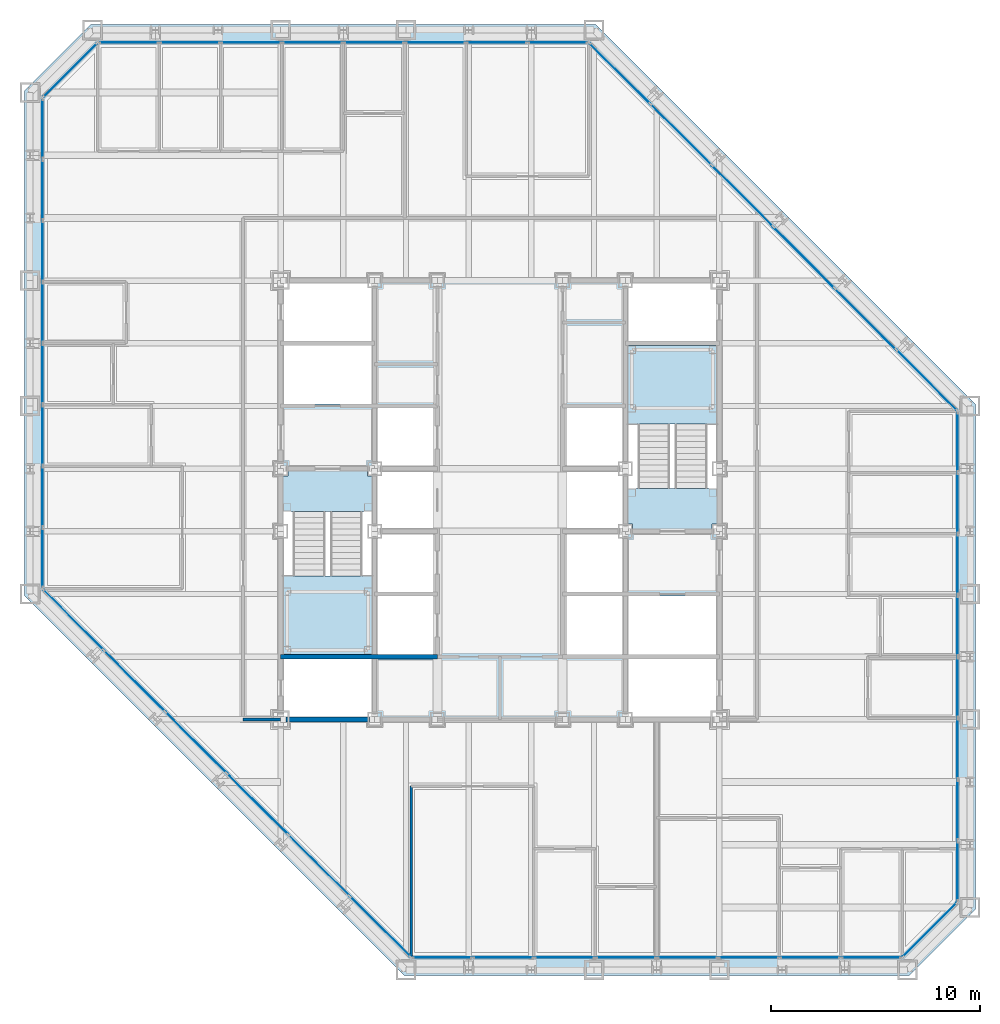
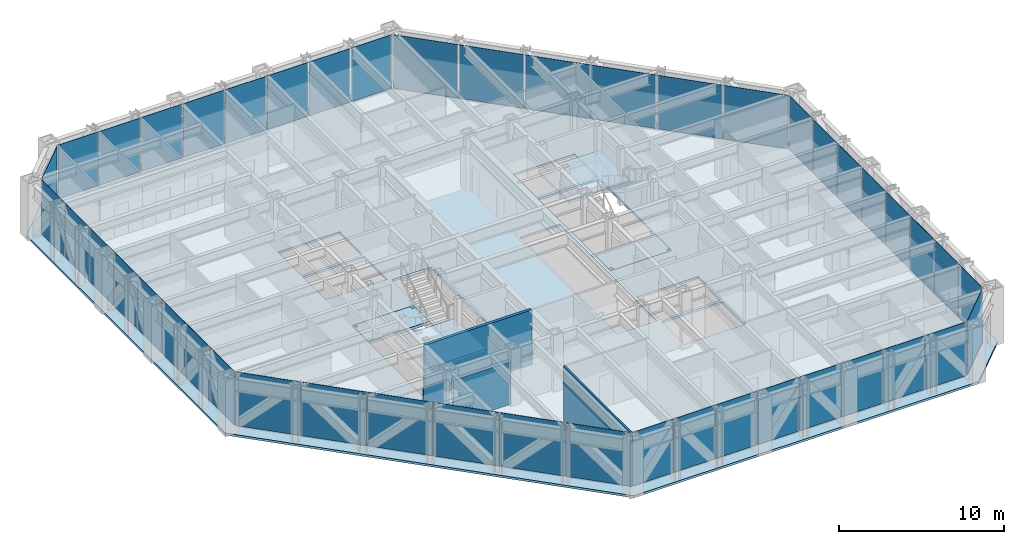
# One storey, part 9 of 16: 46 plates, 5 slabs, 4 walls, 10 elements without a shape of their own.
"""IFC4 building model written with IfcOpenShell, lengths in metres."""

from ifc_helpers import new_model, si_unit, direction, frame, frame_2d, origin, origin_2d, place, context, subcontext, project, spatial, polyline, rectangle, outline, extrude, material, layer, layer_set, type_object, element, aggregate, save


model = new_model("IFC4")

# Units and contexts
model_context = context("Model", 3, precision=1e-05, world=origin(), true_north=direction((0.0, 1.0)))
body_context = subcontext(model_context, "Body", "Model", "MODEL_VIEW")
ifc_project = project(units=[si_unit("LENGTHUNIT", "METRE"), si_unit("AREAUNIT", "SQUARE_METRE"), si_unit("VOLUMEUNIT", "CUBIC_METRE"), si_unit("PLANEANGLEUNIT", "RADIAN"), si_unit("MASSUNIT", "GRAM", prefix="KILO")], contexts=[model_context])

# Site, building, storey
site_placement = place(None, origin())
site = spatial("IfcSite", under=ifc_project, at=site_placement, CompositionType="ELEMENT")
building_placement = place(site_placement, origin())
building = spatial("IfcBuilding", under=site, at=building_placement, Name="Chuquiago Exchange Tower", CompositionType="ELEMENT")
storey_placement = place(building_placement, frame((0.0, 0.0, 127.800048828125)))
storey = spatial("IfcBuildingStorey", under=building, at=storey_placement, Name="L27", CompositionType="ELEMENT", Elevation=127.800048828125)

# Curtain wall, plates
ifc_material_1 = material(Name="Aluminium curtain wall system", Category="aluminium")
ifc_layer_1 = layer(ifc_material_1, 0.22509765625)
ifc_layer_set_1 = layer_set([ifc_layer_1], Name="CW2 office curtain wall")
curtain_wall_type_1 = type_object("IfcCurtainWallType", Name="CW2 office curtain wall", PredefinedType="NOTDEFINED", material=ifc_layer_set_1)
curtain_wall_1_placement = place(storey_placement, origin())
curtain_wall_1 = element("IfcCurtainWall", 1, at=curtain_wall_1_placement, inside=storey, type_object=curtain_wall_type_1, Name="CW2 curtain wall L27", PredefinedType="NOTDEFINED")
ifc_material_2 = material(Name="Glass, insulating unit", Category="glass")
ifc_layer_2 = layer(ifc_material_2, 0.030029296875)
ifc_layer_set_2 = layer_set([ifc_layer_2], Name="CW2-P panel 30")
plate_type_1 = type_object("IfcPlateType", Name="CW2-P panel 30", PredefinedType="CURTAIN_PANEL", material=ifc_layer_set_2)
plate_1_placement = place(storey_placement, frame((25.59326171875, 0.60009765625, 0.06494140625), z_axis=(0.0, 0.0, 1.0), x_axis=(1.0, 0.0, 0.0)))
plate_1 = element("IfcPlate", 2, at=plate_1_placement, type_object=plate_type_1, Name="CW2 panel 3.1", PredefinedType="CURTAIN_PANEL", context=body_context, shape_type="SweptSolid", body=[
    extrude(rectangle(XDim=2.872802734375, YDim=0.030029296875, at=origin_2d()), origin(), (0.0, 0.0, 1.0), 3.97509765625),
])
plate_2_placement = place(storey_placement, frame((34.40673828125, 0.60009765625, 0.06494140625), z_axis=(0.0, 0.0, 1.0), x_axis=(1.0, 0.0, 0.0)))
plate_2 = element("IfcPlate", 3, at=plate_2_placement, type_object=plate_type_1, Name="CW2 panel 6.1", PredefinedType="CURTAIN_PANEL", context=body_context, shape_type="SweptSolid", body=[
    extrude(rectangle(XDim=2.872802734375, YDim=0.030029296875, at=origin_2d()), origin(), (0.0, 0.0, 1.0), 3.97509765625),
])

curtain_wall_2_placement = place(storey_placement, origin())
curtain_wall_2 = element("IfcCurtainWall", 4, at=curtain_wall_2_placement, inside=storey, type_object=curtain_wall_type_1, Name="CW2 curtain wall L27", PredefinedType="NOTDEFINED")
plate_3_placement = place(storey_placement, frame((44.39990234375, 10.59326171875, 0.06494140625), z_axis=(0.0, 0.0, 1.0), x_axis=(0.0, 1.0, 0.0)))
plate_3 = element("IfcPlate", 5, at=plate_3_placement, type_object=plate_type_1, Name="CW2 panel 3.1", PredefinedType="CURTAIN_PANEL", context=body_context, shape_type="SweptSolid", body=[
    extrude(rectangle(XDim=2.872802734375, YDim=0.030029296875, at=origin_2d()), origin(), (0.0, 0.0, 1.0), 3.97509765625),
])
plate_4_placement = place(storey_placement, frame((44.39990234375, 19.40673828125, 0.06494140625), z_axis=(0.0, 0.0, 1.0), x_axis=(0.0, 1.0, 0.0)))
plate_4 = element("IfcPlate", 6, at=plate_4_placement, type_object=plate_type_1, Name="CW2 panel 6.1", PredefinedType="CURTAIN_PANEL", context=body_context, shape_type="SweptSolid", body=[
    extrude(rectangle(XDim=2.872802734375, YDim=0.030029296875, at=origin_2d()), origin(), (0.0, 0.0, 1.0), 3.97509765625),
])

curtain_wall_3_placement = place(storey_placement, origin())
curtain_wall_3 = element("IfcCurtainWall", 7, at=curtain_wall_3_placement, inside=storey, type_object=curtain_wall_type_1, Name="CW2 curtain wall L27", PredefinedType="NOTDEFINED")
plate_5_placement = place(storey_placement, frame((19.40673828125, 44.39990234375, 0.06494140625), z_axis=(0.0, 0.0, 1.0), x_axis=(-1.0, 0.0, 0.0)))
plate_5 = element("IfcPlate", 8, at=plate_5_placement, type_object=plate_type_1, Name="CW2 panel 3.1", PredefinedType="CURTAIN_PANEL", context=body_context, shape_type="SweptSolid", body=[
    extrude(rectangle(XDim=2.872802734375, YDim=0.030029296875, at=origin_2d()), origin(), (0.0, 0.0, 1.0), 3.97509765625),
])
plate_6_placement = place(storey_placement, frame((10.59326171875, 44.39990234375, 0.06494140625), z_axis=(0.0, 0.0, 1.0), x_axis=(-1.0, 0.0, 0.0)))
plate_6 = element("IfcPlate", 9, at=plate_6_placement, type_object=plate_type_1, Name="CW2 panel 6.1", PredefinedType="CURTAIN_PANEL", context=body_context, shape_type="SweptSolid", body=[
    extrude(rectangle(XDim=2.872802734375, YDim=0.030029296875, at=origin_2d()), origin(), (0.0, 0.0, 1.0), 3.97509765625),
])

curtain_wall_4_placement = place(storey_placement, origin())
curtain_wall_4 = element("IfcCurtainWall", 10, at=curtain_wall_4_placement, inside=storey, type_object=curtain_wall_type_1, Name="CW2 curtain wall L27", PredefinedType="NOTDEFINED")
plate_7_placement = place(storey_placement, frame((0.60009765625, 34.40673828125, 0.06494140625), z_axis=(0.0, 0.0, 1.0), x_axis=(0.0, -1.0, 0.0)))
plate_7 = element("IfcPlate", 11, at=plate_7_placement, type_object=plate_type_1, Name="CW2 panel 3.1", PredefinedType="CURTAIN_PANEL", context=body_context, shape_type="SweptSolid", body=[
    extrude(rectangle(XDim=2.872802734375, YDim=0.030029296875, at=origin_2d()), origin(), (0.0, 0.0, 1.0), 3.97509765625),
])
plate_8_placement = place(storey_placement, frame((0.60009765625, 25.59326171875, 0.06494140625), z_axis=(0.0, 0.0, 1.0), x_axis=(0.0, -1.0, 0.0)))
plate_8 = element("IfcPlate", 12, at=plate_8_placement, type_object=plate_type_1, Name="CW2 panel 6.1", PredefinedType="CURTAIN_PANEL", context=body_context, shape_type="SweptSolid", body=[
    extrude(rectangle(XDim=2.872802734375, YDim=0.030029296875, at=origin_2d()), origin(), (0.0, 0.0, 1.0), 3.97509765625),
])

# Plate
ifc_material_3 = material(Name="Insulated spandrel panel, pale anodised aluminium", Category="aluminium")
ifc_layer_3 = layer(ifc_material_3, 0.030029296875)
ifc_layer_set_3 = layer_set([ifc_layer_3], Name="CW2-P spandrel panel 30")
plate_type_2 = type_object("IfcPlateType", Name="CW2-P spandrel panel 30", PredefinedType="CURTAIN_PANEL", material=ifc_layer_set_3)
plate_9_placement = place(storey_placement, frame((19.733642578125, 0.60009765625, 0.06494140625), z_axis=(0.0, 0.0, 1.0), x_axis=(1.0, 0.0, 0.0)))
plate_9 = element("IfcPlate", 13, at=plate_9_placement, type_object=plate_type_2, Name="CW2 panel 1.1", PredefinedType="CURTAIN_PANEL", context=body_context, shape_type="SweptSolid", body=[
    extrude(rectangle(XDim=2.84033203125, YDim=0.030029296875, at=origin_2d()), origin(), (0.0, 0.0, 1.0), 3.97509765625),
])

plate_10_placement = place(storey_placement, frame((22.6552734375, 0.60009765625, 0.06494140625), z_axis=(0.0, 0.0, 1.0), x_axis=(1.0, 0.0, 0.0)))
plate_10 = element("IfcPlate", 14, at=plate_10_placement, type_object=plate_type_2, Name="CW2 panel 2.1", PredefinedType="CURTAIN_PANEL", context=body_context, shape_type="SweptSolid", body=[
    extrude(rectangle(XDim=2.872802734375, YDim=0.030029296875, at=origin_2d()), origin(), (0.0, 0.0, 1.0), 3.97509765625),
])

plate_11_placement = place(storey_placement, frame((28.531005859375, 0.60009765625, 0.06494140625), z_axis=(0.0, 0.0, 1.0), x_axis=(1.0, 0.0, 0.0)))
plate_11 = element("IfcPlate", 15, at=plate_11_placement, type_object=plate_type_2, Name="CW2 panel 4.1", PredefinedType="CURTAIN_PANEL", context=body_context, shape_type="SweptSolid", body=[
    extrude(rectangle(XDim=2.872802734375, YDim=0.030029296875, at=origin_2d()), origin(), (0.0, 0.0, 1.0), 3.97509765625),
])

plate_12_placement = place(storey_placement, frame((31.468994140625, 0.60009765625, 0.06494140625), z_axis=(0.0, 0.0, 1.0), x_axis=(1.0, 0.0, 0.0)))
plate_12 = element("IfcPlate", 16, at=plate_12_placement, type_object=plate_type_2, Name="CW2 panel 5.1", PredefinedType="CURTAIN_PANEL", context=body_context, shape_type="SweptSolid", body=[
    extrude(rectangle(XDim=2.872802734375, YDim=0.030029296875, at=origin_2d()), origin(), (0.0, 0.0, 1.0), 3.97509765625),
])

plate_13_placement = place(storey_placement, frame((37.3447265625, 0.60009765625, 0.06494140625), z_axis=(0.0, 0.0, 1.0), x_axis=(1.0, 0.0, 0.0)))
plate_13 = element("IfcPlate", 17, at=plate_13_placement, type_object=plate_type_2, Name="CW2 panel 7.1", PredefinedType="CURTAIN_PANEL", context=body_context, shape_type="SweptSolid", body=[
    extrude(rectangle(XDim=2.872802734375, YDim=0.030029296875, at=origin_2d()), origin(), (0.0, 0.0, 1.0), 3.97509765625),
])

plate_14_placement = place(storey_placement, frame((40.266357421875, 0.60009765625, 0.06494140625), z_axis=(0.0, 0.0, 1.0), x_axis=(1.0, 0.0, 0.0)))
plate_14 = element("IfcPlate", 18, at=plate_14_placement, type_object=plate_type_2, Name="CW2 panel 8.1", PredefinedType="CURTAIN_PANEL", context=body_context, shape_type="SweptSolid", body=[
    extrude(rectangle(XDim=2.84033203125, YDim=0.030029296875, at=origin_2d()), origin(), (0.0, 0.0, 1.0), 3.97509765625),
])

aggregate(curtain_wall_1, [plate_9, plate_10, plate_1, plate_11, plate_12, plate_2, plate_13, plate_14])

plate_15_placement = place(storey_placement, frame((44.39990234375, 4.733642578125, 0.06494140625), z_axis=(0.0, 0.0, 1.0), x_axis=(0.0, 1.0, 0.0)))
plate_15 = element("IfcPlate", 19, at=plate_15_placement, type_object=plate_type_2, Name="CW2 panel 1.1", PredefinedType="CURTAIN_PANEL", context=body_context, shape_type="SweptSolid", body=[
    extrude(rectangle(XDim=2.84033203125, YDim=0.030029296875, at=origin_2d()), origin(), (0.0, 0.0, 1.0), 3.97509765625),
])

plate_16_placement = place(storey_placement, frame((44.39990234375, 7.6552734375, 0.06494140625), z_axis=(0.0, 0.0, 1.0), x_axis=(0.0, 1.0, 0.0)))
plate_16 = element("IfcPlate", 20, at=plate_16_placement, type_object=plate_type_2, Name="CW2 panel 2.1", PredefinedType="CURTAIN_PANEL", context=body_context, shape_type="SweptSolid", body=[
    extrude(rectangle(XDim=2.872802734375, YDim=0.030029296875, at=origin_2d()), origin(), (0.0, 0.0, 1.0), 3.97509765625),
])

plate_17_placement = place(storey_placement, frame((44.39990234375, 13.531005859375, 0.06494140625), z_axis=(0.0, 0.0, 1.0), x_axis=(0.0, 1.0, 0.0)))
plate_17 = element("IfcPlate", 21, at=plate_17_placement, type_object=plate_type_2, Name="CW2 panel 4.1", PredefinedType="CURTAIN_PANEL", context=body_context, shape_type="SweptSolid", body=[
    extrude(rectangle(XDim=2.872802734375, YDim=0.030029296875, at=origin_2d()), origin(), (0.0, 0.0, 1.0), 3.97509765625),
])

plate_18_placement = place(storey_placement, frame((44.39990234375, 16.468994140625, 0.06494140625), z_axis=(0.0, 0.0, 1.0), x_axis=(0.0, 1.0, 0.0)))
plate_18 = element("IfcPlate", 22, at=plate_18_placement, type_object=plate_type_2, Name="CW2 panel 5.1", PredefinedType="CURTAIN_PANEL", context=body_context, shape_type="SweptSolid", body=[
    extrude(rectangle(XDim=2.872802734375, YDim=0.030029296875, at=origin_2d()), origin(), (0.0, 0.0, 1.0), 3.97509765625),
])

plate_19_placement = place(storey_placement, frame((44.39990234375, 22.3447265625, 0.06494140625), z_axis=(0.0, 0.0, 1.0), x_axis=(0.0, 1.0, 0.0)))
plate_19 = element("IfcPlate", 23, at=plate_19_placement, type_object=plate_type_2, Name="CW2 panel 7.1", PredefinedType="CURTAIN_PANEL", context=body_context, shape_type="SweptSolid", body=[
    extrude(rectangle(XDim=2.872802734375, YDim=0.030029296875, at=origin_2d()), origin(), (0.0, 0.0, 1.0), 3.97509765625),
])

plate_20_placement = place(storey_placement, frame((44.39990234375, 25.266357421875, 0.06494140625), z_axis=(0.0, 0.0, 1.0), x_axis=(0.0, 1.0, 0.0)))
plate_20 = element("IfcPlate", 24, at=plate_20_placement, type_object=plate_type_2, Name="CW2 panel 8.1", PredefinedType="CURTAIN_PANEL", context=body_context, shape_type="SweptSolid", body=[
    extrude(rectangle(XDim=2.84033203125, YDim=0.030029296875, at=origin_2d()), origin(), (0.0, 0.0, 1.0), 3.97509765625),
])

aggregate(curtain_wall_2, [plate_15, plate_16, plate_3, plate_17, plate_18, plate_4, plate_19, plate_20])

plate_21_placement = place(storey_placement, frame((25.266357421875, 44.39990234375, 0.06494140625), z_axis=(0.0, 0.0, 1.0), x_axis=(-1.0, 0.0, 0.0)))
plate_21 = element("IfcPlate", 25, at=plate_21_placement, type_object=plate_type_2, Name="CW2 panel 1.1", PredefinedType="CURTAIN_PANEL", context=body_context, shape_type="SweptSolid", body=[
    extrude(rectangle(XDim=2.84033203125, YDim=0.030029296875, at=origin_2d()), origin(), (0.0, 0.0, 1.0), 3.97509765625),
])

plate_22_placement = place(storey_placement, frame((22.3447265625, 44.39990234375, 0.06494140625), z_axis=(0.0, 0.0, 1.0), x_axis=(-1.0, 0.0, 0.0)))
plate_22 = element("IfcPlate", 26, at=plate_22_placement, type_object=plate_type_2, Name="CW2 panel 2.1", PredefinedType="CURTAIN_PANEL", context=body_context, shape_type="SweptSolid", body=[
    extrude(rectangle(XDim=2.872802734375, YDim=0.030029296875, at=origin_2d()), origin(), (0.0, 0.0, 1.0), 3.97509765625),
])

plate_23_placement = place(storey_placement, frame((16.468994140625, 44.39990234375, 0.06494140625), z_axis=(0.0, 0.0, 1.0), x_axis=(-1.0, 0.0, 0.0)))
plate_23 = element("IfcPlate", 27, at=plate_23_placement, type_object=plate_type_2, Name="CW2 panel 4.1", PredefinedType="CURTAIN_PANEL", context=body_context, shape_type="SweptSolid", body=[
    extrude(rectangle(XDim=2.872802734375, YDim=0.030029296875, at=origin_2d()), origin(), (0.0, 0.0, 1.0), 3.97509765625),
])

plate_24_placement = place(storey_placement, frame((13.531005859375, 44.39990234375, 0.06494140625), z_axis=(0.0, 0.0, 1.0), x_axis=(-1.0, 0.0, 0.0)))
plate_24 = element("IfcPlate", 28, at=plate_24_placement, type_object=plate_type_2, Name="CW2 panel 5.1", PredefinedType="CURTAIN_PANEL", context=body_context, shape_type="SweptSolid", body=[
    extrude(rectangle(XDim=2.872802734375, YDim=0.030029296875, at=origin_2d()), origin(), (0.0, 0.0, 1.0), 3.97509765625),
])

plate_25_placement = place(storey_placement, frame((7.6552734375, 44.39990234375, 0.06494140625), z_axis=(0.0, 0.0, 1.0), x_axis=(-1.0, 0.0, 0.0)))
plate_25 = element("IfcPlate", 29, at=plate_25_placement, type_object=plate_type_2, Name="CW2 panel 7.1", PredefinedType="CURTAIN_PANEL", context=body_context, shape_type="SweptSolid", body=[
    extrude(rectangle(XDim=2.872802734375, YDim=0.030029296875, at=origin_2d()), origin(), (0.0, 0.0, 1.0), 3.97509765625),
])

plate_26_placement = place(storey_placement, frame((4.733642578125, 44.39990234375, 0.06494140625), z_axis=(0.0, 0.0, 1.0), x_axis=(-1.0, 0.0, 0.0)))
plate_26 = element("IfcPlate", 30, at=plate_26_placement, type_object=plate_type_2, Name="CW2 panel 8.1", PredefinedType="CURTAIN_PANEL", context=body_context, shape_type="SweptSolid", body=[
    extrude(rectangle(XDim=2.84033203125, YDim=0.030029296875, at=origin_2d()), origin(), (0.0, 0.0, 1.0), 3.97509765625),
])

aggregate(curtain_wall_3, [plate_21, plate_22, plate_5, plate_23, plate_24, plate_6, plate_25, plate_26])

plate_27_placement = place(storey_placement, frame((0.60009765625, 40.266357421875, 0.06494140625), z_axis=(0.0, 0.0, 1.0), x_axis=(0.0, -1.0, 0.0)))
plate_27 = element("IfcPlate", 31, at=plate_27_placement, type_object=plate_type_2, Name="CW2 panel 1.1", PredefinedType="CURTAIN_PANEL", context=body_context, shape_type="SweptSolid", body=[
    extrude(rectangle(XDim=2.84033203125, YDim=0.030029296875, at=origin_2d()), origin(), (0.0, 0.0, 1.0), 3.97509765625),
])

plate_28_placement = place(storey_placement, frame((0.60009765625, 37.3447265625, 0.06494140625), z_axis=(0.0, 0.0, 1.0), x_axis=(0.0, -1.0, 0.0)))
plate_28 = element("IfcPlate", 32, at=plate_28_placement, type_object=plate_type_2, Name="CW2 panel 2.1", PredefinedType="CURTAIN_PANEL", context=body_context, shape_type="SweptSolid", body=[
    extrude(rectangle(XDim=2.872802734375, YDim=0.030029296875, at=origin_2d()), origin(), (0.0, 0.0, 1.0), 3.97509765625),
])

plate_29_placement = place(storey_placement, frame((0.60009765625, 31.468994140625, 0.06494140625), z_axis=(0.0, 0.0, 1.0), x_axis=(0.0, -1.0, 0.0)))
plate_29 = element("IfcPlate", 33, at=plate_29_placement, type_object=plate_type_2, Name="CW2 panel 4.1", PredefinedType="CURTAIN_PANEL", context=body_context, shape_type="SweptSolid", body=[
    extrude(rectangle(XDim=2.872802734375, YDim=0.030029296875, at=origin_2d()), origin(), (0.0, 0.0, 1.0), 3.97509765625),
])

plate_30_placement = place(storey_placement, frame((0.60009765625, 28.531005859375, 0.06494140625), z_axis=(0.0, 0.0, 1.0), x_axis=(0.0, -1.0, 0.0)))
plate_30 = element("IfcPlate", 34, at=plate_30_placement, type_object=plate_type_2, Name="CW2 panel 5.1", PredefinedType="CURTAIN_PANEL", context=body_context, shape_type="SweptSolid", body=[
    extrude(rectangle(XDim=2.872802734375, YDim=0.030029296875, at=origin_2d()), origin(), (0.0, 0.0, 1.0), 3.97509765625),
])

plate_31_placement = place(storey_placement, frame((0.60009765625, 22.6552734375, 0.06494140625), z_axis=(0.0, 0.0, 1.0), x_axis=(0.0, -1.0, 0.0)))
plate_31 = element("IfcPlate", 35, at=plate_31_placement, type_object=plate_type_2, Name="CW2 panel 7.1", PredefinedType="CURTAIN_PANEL", context=body_context, shape_type="SweptSolid", body=[
    extrude(rectangle(XDim=2.872802734375, YDim=0.030029296875, at=origin_2d()), origin(), (0.0, 0.0, 1.0), 3.97509765625),
])

plate_32_placement = place(storey_placement, frame((0.60009765625, 19.733642578125, 0.06494140625), z_axis=(0.0, 0.0, 1.0), x_axis=(0.0, -1.0, 0.0)))
plate_32 = element("IfcPlate", 36, at=plate_32_placement, type_object=plate_type_2, Name="CW2 panel 8.1", PredefinedType="CURTAIN_PANEL", context=body_context, shape_type="SweptSolid", body=[
    extrude(rectangle(XDim=2.84033203125, YDim=0.030029296875, at=origin_2d()), origin(), (0.0, 0.0, 1.0), 3.97509765625),
])

aggregate(curtain_wall_4, [plate_27, plate_28, plate_7, plate_29, plate_30, plate_8, plate_31, plate_32])

# Curtain wall, plate
ifc_material_4 = material(Name="Aluminium curtain wall system", Category="aluminium")
ifc_layer_4 = layer(ifc_material_4, 0.199951171875)
ifc_layer_set_4 = layer_set([ifc_layer_4], Name="CW3 facet curtain wall")
curtain_wall_type_2 = type_object("IfcCurtainWallType", Name="CW3 facet curtain wall", PredefinedType="NOTDEFINED", material=ifc_layer_set_4)
curtain_wall_5_placement = place(storey_placement, origin())
curtain_wall_5 = element("IfcCurtainWall", 37, at=curtain_wall_5_placement, inside=storey, type_object=curtain_wall_type_2, Name="CW3 curtain wall L27", PredefinedType="NOTDEFINED")
ifc_material_5 = material(Name="Insulated spandrel panel, pale anodised aluminium", Category="aluminium")
ifc_layer_5 = layer(ifc_material_5, 0.030029296875)
ifc_layer_set_5 = layer_set([ifc_layer_5], Name="CW3-P spandrel panel 30")
plate_type_3 = type_object("IfcPlateType", Name="CW3-P spandrel panel 30", PredefinedType="CURTAIN_PANEL", material=ifc_layer_set_5)
plate_33_placement = place(storey_placement, frame((43.07568359375, 1.92431640625, 0.06494140625), z_axis=(0.0, 0.0, 1.0), x_axis=(0.707106781187, 0.707106781187, 0.0)))
plate_33 = element("IfcPlate", 38, at=plate_33_placement, type_object=plate_type_3, Name="CW3 panel 1.1", PredefinedType="CURTAIN_PANEL", context=body_context, shape_type="SweptSolid", body=[
    extrude(rectangle(XDim=3.615478515625, YDim=0.030029296875, at=origin_2d()), origin(), (0.0, 0.0, 1.0), 3.97509765625),
])
aggregate(curtain_wall_5, [plate_33])

# Curtain wall, plates
curtain_wall_6_placement = place(storey_placement, origin())
curtain_wall_6 = element("IfcCurtainWall", 39, at=curtain_wall_6_placement, inside=storey, type_object=curtain_wall_type_2, Name="CW3 curtain wall L27", PredefinedType="NOTDEFINED")
plate_34_placement = place(storey_placement, frame((42.917724609375, 28.233642578125, 0.06494140625), z_axis=(0.0, 0.0, 1.0), x_axis=(-0.707106781187, 0.707106781187, 0.0)))
plate_34 = element("IfcPlate", 40, at=plate_34_placement, type_object=plate_type_3, Name="CW3 panel 1.1", PredefinedType="CURTAIN_PANEL", context=body_context, shape_type="SweptSolid", body=[
    extrude(rectangle(XDim=4.062255859375, YDim=0.030029296875, at=origin_2d()), origin(), (0.0, 0.0, 1.0), 3.97509765625),
])
plate_35_placement = place(storey_placement, frame((39.98779296875, 31.16357421875, 0.06494140625), z_axis=(0.0, 0.0, 1.0), x_axis=(-0.707106781187, 0.707106781187, 0.0)))
plate_35 = element("IfcPlate", 41, at=plate_35_placement, type_object=plate_type_3, Name="CW3 panel 2.1", PredefinedType="CURTAIN_PANEL", context=body_context, shape_type="SweptSolid", body=[
    extrude(rectangle(XDim=4.0947265625, YDim=0.030029296875, at=origin_2d()), origin(), (0.0, 0.0, 1.0), 3.97509765625),
])
plate_36_placement = place(storey_placement, frame((37.04638671875, 34.10498046875, 0.06494140625), z_axis=(0.0, 0.0, 1.0), x_axis=(-0.707106781187, 0.707106781187, 0.0)))
plate_36 = element("IfcPlate", 42, at=plate_36_placement, type_object=plate_type_3, Name="CW3 panel 3.1", PredefinedType="CURTAIN_PANEL", context=body_context, shape_type="SweptSolid", body=[
    extrude(rectangle(XDim=4.0947265625, YDim=0.030029296875, at=origin_2d()), origin(), (0.0, 0.0, 1.0), 3.97509765625),
])
plate_37_placement = place(storey_placement, frame((34.10498046875, 37.04638671875, 0.06494140625), z_axis=(0.0, 0.0, 1.0), x_axis=(-0.707106781187, 0.707106781187, 0.0)))
plate_37 = element("IfcPlate", 43, at=plate_37_placement, type_object=plate_type_3, Name="CW3 panel 4.1", PredefinedType="CURTAIN_PANEL", context=body_context, shape_type="SweptSolid", body=[
    extrude(rectangle(XDim=4.0947265625, YDim=0.030029296875, at=origin_2d()), origin(), (0.0, 0.0, 1.0), 3.97509765625),
])
plate_38_placement = place(storey_placement, frame((31.16357421875, 39.98779296875, 0.06494140625), z_axis=(0.0, 0.0, 1.0), x_axis=(-0.707106781187, 0.707106781187, 0.0)))
plate_38 = element("IfcPlate", 44, at=plate_38_placement, type_object=plate_type_3, Name="CW3 panel 5.1", PredefinedType="CURTAIN_PANEL", context=body_context, shape_type="SweptSolid", body=[
    extrude(rectangle(XDim=4.0947265625, YDim=0.030029296875, at=origin_2d()), origin(), (0.0, 0.0, 1.0), 3.97509765625),
])
plate_39_placement = place(storey_placement, frame((28.233642578125, 42.917724609375, 0.06494140625), z_axis=(0.0, 0.0, 1.0), x_axis=(-0.707106781187, 0.707106781187, 0.0)))
plate_39 = element("IfcPlate", 45, at=plate_39_placement, type_object=plate_type_3, Name="CW3 panel 6.1", PredefinedType="CURTAIN_PANEL", context=body_context, shape_type="SweptSolid", body=[
    extrude(rectangle(XDim=4.062255859375, YDim=0.030029296875, at=origin_2d()), origin(), (0.0, 0.0, 1.0), 3.97509765625),
])
aggregate(curtain_wall_6, [plate_34, plate_35, plate_36, plate_37, plate_38, plate_39])

# Curtain wall, plate
curtain_wall_7_placement = place(storey_placement, origin())
curtain_wall_7 = element("IfcCurtainWall", 46, at=curtain_wall_7_placement, inside=storey, type_object=curtain_wall_type_2, Name="CW3 curtain wall L27", PredefinedType="NOTDEFINED")
plate_40_placement = place(storey_placement, frame((1.92431640625, 43.07568359375, 0.06494140625), z_axis=(0.0, 0.0, 1.0), x_axis=(-0.707106781187, -0.707106781187, 0.0)))
plate_40 = element("IfcPlate", 47, at=plate_40_placement, type_object=plate_type_3, Name="CW3 panel 1.1", PredefinedType="CURTAIN_PANEL", context=body_context, shape_type="SweptSolid", body=[
    extrude(rectangle(XDim=3.615478515625, YDim=0.030029296875, at=origin_2d()), origin(), (0.0, 0.0, 1.0), 3.97509765625),
])
aggregate(curtain_wall_7, [plate_40])

# Curtain wall, plates
curtain_wall_8_placement = place(storey_placement, origin())
curtain_wall_8 = element("IfcCurtainWall", 48, at=curtain_wall_8_placement, inside=storey, type_object=curtain_wall_type_2, Name="CW3 curtain wall L27", PredefinedType="NOTDEFINED")
plate_41_placement = place(storey_placement, frame((2.082275390625, 16.766357421875, 0.06494140625), z_axis=(0.0, 0.0, 1.0), x_axis=(0.707106781187, -0.707106781187, 0.0)))
plate_41 = element("IfcPlate", 49, at=plate_41_placement, type_object=plate_type_3, Name="CW3 panel 1.1", PredefinedType="CURTAIN_PANEL", context=body_context, shape_type="SweptSolid", body=[
    extrude(rectangle(XDim=4.062255859375, YDim=0.030029296875, at=origin_2d()), origin(), (0.0, 0.0, 1.0), 3.97509765625),
])
plate_42_placement = place(storey_placement, frame((5.01220703125, 13.83642578125, 0.06494140625), z_axis=(0.0, 0.0, 1.0), x_axis=(0.707106781187, -0.707106781187, 0.0)))
plate_42 = element("IfcPlate", 50, at=plate_42_placement, type_object=plate_type_3, Name="CW3 panel 2.1", PredefinedType="CURTAIN_PANEL", context=body_context, shape_type="SweptSolid", body=[
    extrude(rectangle(XDim=4.0947265625, YDim=0.030029296875, at=origin_2d()), origin(), (0.0, 0.0, 1.0), 3.97509765625),
])
plate_43_placement = place(storey_placement, frame((7.95361328125, 10.89501953125, 0.06494140625), z_axis=(0.0, 0.0, 1.0), x_axis=(0.707106781187, -0.707106781187, 0.0)))
plate_43 = element("IfcPlate", 51, at=plate_43_placement, type_object=plate_type_3, Name="CW3 panel 3.1", PredefinedType="CURTAIN_PANEL", context=body_context, shape_type="SweptSolid", body=[
    extrude(rectangle(XDim=4.0947265625, YDim=0.030029296875, at=origin_2d()), origin(), (0.0, 0.0, 1.0), 3.97509765625),
])
plate_44_placement = place(storey_placement, frame((10.89501953125, 7.95361328125, 0.06494140625), z_axis=(0.0, 0.0, 1.0), x_axis=(0.707106781187, -0.707106781187, 0.0)))
plate_44 = element("IfcPlate", 52, at=plate_44_placement, type_object=plate_type_3, Name="CW3 panel 4.1", PredefinedType="CURTAIN_PANEL", context=body_context, shape_type="SweptSolid", body=[
    extrude(rectangle(XDim=4.0947265625, YDim=0.030029296875, at=origin_2d()), origin(), (0.0, 0.0, 1.0), 3.97509765625),
])
plate_45_placement = place(storey_placement, frame((13.83642578125, 5.01220703125, 0.06494140625), z_axis=(0.0, 0.0, 1.0), x_axis=(0.707106781187, -0.707106781187, 0.0)))
plate_45 = element("IfcPlate", 53, at=plate_45_placement, type_object=plate_type_3, Name="CW3 panel 5.1", PredefinedType="CURTAIN_PANEL", context=body_context, shape_type="SweptSolid", body=[
    extrude(rectangle(XDim=4.0947265625, YDim=0.030029296875, at=origin_2d()), origin(), (0.0, 0.0, 1.0), 3.97509765625),
])
plate_46_placement = place(storey_placement, frame((16.766357421875, 2.082275390625, 0.06494140625), z_axis=(0.0, 0.0, 1.0), x_axis=(0.707106781187, -0.707106781187, 0.0)))
plate_46 = element("IfcPlate", 54, at=plate_46_placement, type_object=plate_type_3, Name="CW3 panel 6.1", PredefinedType="CURTAIN_PANEL", context=body_context, shape_type="SweptSolid", body=[
    extrude(rectangle(XDim=4.062255859375, YDim=0.030029296875, at=origin_2d()), origin(), (0.0, 0.0, 1.0), 3.97509765625),
])
aggregate(curtain_wall_8, [plate_41, plate_42, plate_43, plate_44, plate_45, plate_46])

# Slab
ifc_material_6 = material(Name="Concrete C30/37", Category="concrete")
ifc_layer_6 = layer(ifc_material_6, 0.159912109375)
ifc_layer_set_6 = layer_set([ifc_layer_6], Name="FS1 composite floor 160")
slab_type_1 = type_object("IfcSlabType", Name="FS1 composite floor 160", PredefinedType="FLOOR", material=ifc_layer_set_6)
slab_1_placement = place(storey_placement, frame((0.0, 0.0, -0.16015625)))
element("IfcSlab", 55, at=slab_1_placement, inside=storey, type_object=slab_type_1, Name="L27 floor slab", PredefinedType="FLOOR", context=body_context, shape_type="SweptSolid", body=[
    extrude(outline(polyline([(17.896484375, -0.25), (-0.25, 17.896484375), (-0.25, 42.103515625), (2.896484375, 45.25), (27.103515625, 45.25), (45.25, 27.103515625), (45.25, 2.896484375), (42.103515625, -0.25), (17.896484375, -0.25)]), holes=[polyline([(16.39990234375, 15.10009765625), (12.10009765625, 15.10009765625), (12.10009765625, 23.89990234375), (16.39990234375, 23.89990234375), (16.39990234375, 15.10009765625)]), polyline([(32.89990234375, 21.10009765625), (28.60009765625, 21.10009765625), (28.60009765625, 29.89990234375), (32.89990234375, 29.89990234375), (32.89990234375, 21.10009765625)]), polyline([(16.39990234375, 12.10009765625), (12.10009765625, 12.10009765625), (12.10009765625, 14.89990234375), (16.39990234375, 14.89990234375), (16.39990234375, 12.10009765625)]), polyline([(16.39990234375, 30.10009765625), (12.10009765625, 30.10009765625), (12.10009765625, 32.89990234375), (16.39990234375, 32.89990234375), (16.39990234375, 30.10009765625)]), polyline([(32.89990234375, 12.10009765625), (28.60009765625, 12.10009765625), (28.60009765625, 14.89990234375), (32.89990234375, 14.89990234375), (32.89990234375, 12.10009765625)]), polyline([(32.89990234375, 30.10009765625), (28.60009765625, 30.10009765625), (28.60009765625, 32.89990234375), (32.89990234375, 32.89990234375), (32.89990234375, 30.10009765625)]), polyline([(16.39990234375, 27.10009765625), (12.10009765625, 27.10009765625), (12.10009765625, 29.89990234375), (16.39990234375, 29.89990234375), (16.39990234375, 27.10009765625)]), polyline([(32.89990234375, 15.10009765625), (28.60009765625, 15.10009765625), (28.60009765625, 17.89990234375), (32.89990234375, 17.89990234375), (32.89990234375, 15.10009765625)]), polyline([(19.39990234375, 15.10009765625), (16.60009765625, 15.10009765625), (16.60009765625, 26.89990234375), (19.39990234375, 26.89990234375), (19.39990234375, 15.10009765625)]), polyline([(28.39990234375, 15.10009765625), (25.60009765625, 15.10009765625), (25.60009765625, 26.89990234375), (28.39990234375, 26.89990234375), (28.39990234375, 15.10009765625)])]), origin(), (0.0, 0.0, 1.0), 0.16015625),
])

# Stair, slabs
ifc_material_7 = material(Name="Concrete C30/37, precast", Category="concrete")
stair_type_1 = type_object("IfcStairType", Name="ST1 half-turn stair 4200", PredefinedType="HALF_TURN_STAIR", material=ifc_material_7)
stair_1_placement = place(storey_placement, origin())
stair_1 = element("IfcStair", 56, at=stair_1_placement, inside=storey, type_object=stair_type_1, Name="Stair ST1 L27", PredefinedType="HALF_TURN_STAIR")
ifc_material_8 = material(Name="Concrete C30/37, precast", Category="concrete")
ifc_layer_7 = layer(ifc_material_8, 0.199951171875)
ifc_layer_set_7 = layer_set([ifc_layer_7], Name="ST-L landing 200")
slab_type_2 = type_object("IfcSlabType", Name="ST-L landing 200", PredefinedType="LANDING", material=ifc_layer_set_7)
slab_2_placement = place(storey_placement, frame((0.0, 0.0, -0.199951171875)))
slab_2 = element("IfcSlab", 57, at=slab_2_placement, type_object=slab_type_2, Name="ST1 landing 1", PredefinedType="LANDING", context=body_context, shape_type="SweptSolid", body=[
    extrude(outline(polyline([(12.35009765625, 23.89990234375), (16.14990234375, 23.89990234375), (16.14990234375, 23.64990234375), (16.39990234375, 23.64990234375), (16.39990234375, 21.949951171875), (12.10009765625, 21.949951171875), (12.10009765625, 23.64990234375), (12.35009765625, 23.64990234375), (12.35009765625, 23.89990234375)])), origin(), (0.0, 0.0, 1.0), 0.199951171875),
])
slab_3_placement = place(storey_placement, frame((0.0, 0.0, 1.89990234375)))
slab_3 = element("IfcSlab", 58, at=slab_3_placement, type_object=slab_type_2, Name="ST1 landing 2", PredefinedType="LANDING", context=body_context, shape_type="SweptSolid", body=[
    extrude(outline(polyline([(12.10009765625, 18.8701171875), (16.39990234375, 18.8701171875), (16.39990234375, 15.10009765625), (12.10009765625, 15.10009765625), (12.10009765625, 18.8701171875)])), origin(), (0.0, 0.0, 1.0), 0.199951171875),
])
aggregate(stair_1, [slab_2, slab_3])

ifc_material_9 = material(Name="Concrete C30/37, precast", Category="concrete")
stair_type_2 = type_object("IfcStairType", Name="ST2 half-turn stair 4200", PredefinedType="HALF_TURN_STAIR", material=ifc_material_9)
stair_2_placement = place(storey_placement, origin())
stair_2 = element("IfcStair", 59, at=stair_2_placement, inside=storey, type_object=stair_type_2, Name="Stair ST2 L27", PredefinedType="HALF_TURN_STAIR")
slab_4_placement = place(storey_placement, frame((0.0, 0.0, -0.199951171875)))
slab_4 = element("IfcSlab", 60, at=slab_4_placement, type_object=slab_type_2, Name="ST2 landing 1", PredefinedType="LANDING", context=body_context, shape_type="SweptSolid", body=[
    extrude(outline(polyline([(32.64990234375, 21.35009765625), (32.64990234375, 21.10009765625), (28.85009765625, 21.10009765625), (28.85009765625, 21.35009765625), (28.60009765625, 21.35009765625), (28.60009765625, 23.050048828125), (32.89990234375, 23.050048828125), (32.89990234375, 21.35009765625), (32.64990234375, 21.35009765625)])), origin(), (0.0, 0.0, 1.0), 0.199951171875),
])
slab_5_placement = place(storey_placement, frame((0.0, 0.0, 1.89990234375)))
slab_5 = element("IfcSlab", 61, at=slab_5_placement, type_object=slab_type_2, Name="ST2 landing 2", PredefinedType="LANDING", context=body_context, shape_type="SweptSolid", body=[
    extrude(outline(polyline([(28.60009765625, 29.89990234375), (32.89990234375, 29.89990234375), (32.89990234375, 26.1298828125), (28.60009765625, 26.1298828125), (28.60009765625, 29.89990234375)])), origin(), (0.0, 0.0, 1.0), 0.199951171875),
])
aggregate(stair_2, [slab_4, slab_5])

# Walls
ifc_material_10 = material(Name="Concrete masonry, fully grouted", Category="masonry")
ifc_layer_8 = layer(ifc_material_10, 0.25)
ifc_layer_set_8 = layer_set([ifc_layer_8], Name="W1 core wall 250")
wall_type_1 = type_object("IfcWallType", Name="W1 core wall 250", PredefinedType="SOLIDWALL", material=ifc_layer_set_8)
wall_1_placement = place(storey_placement, frame((12.25, 12.0, 0.0), z_axis=(0.0, 0.0, 1.0), x_axis=(1.0, 0.0, 0.0)))
element("IfcWall", 62, at=wall_1_placement, inside=storey, type_object=wall_type_1, Name="CW-L27-01-0", PredefinedType="SOLIDWALL", context=body_context, shape_type="SweptSolid", body=[
    extrude(rectangle(XDim=4.0, YDim=0.25, at=frame_2d((2.0, 0.0))), origin(), (0.0, 0.0, 1.0), 3.181396484375),
])
ifc_material_11 = material(Name="Gypsum board on steel studs, acoustic insulation", Category="steel")
ifc_layer_9 = layer(ifc_material_11, 0.14990234375)
ifc_layer_set_9 = layer_set([ifc_layer_9], Name="W11 corridor wall 150")
wall_type_2 = type_object("IfcWallType", Name="W11 corridor wall 150", PredefinedType="PARTITIONING", material=ifc_layer_set_9)
wall_2_placement = place(storey_placement, frame((10.199951171875, 12.0, 0.0), z_axis=(0.0, 0.0, 1.0), x_axis=(1.0, 0.0, 0.0)))
element("IfcWall", 63, at=wall_2_placement, inside=storey, type_object=wall_type_2, Name="PW-L27-CWS", PredefinedType="PARTITIONING", context=body_context, shape_type="SweptSolid", body=[
    extrude(rectangle(XDim=1.800048828125, YDim=0.14990234375, at=frame_2d((0.89990234375, 0.0))), origin(), (0.0, 0.0, 1.0), 3.270263671875),
])
ifc_material_12 = material(Name="Concrete masonry, fully grouted", Category="masonry")
ifc_layer_10 = layer(ifc_material_12, 0.199951171875)
ifc_layer_set_10 = layer_set([ifc_layer_10], Name="W2 shaft wall 200")
wall_type_3 = type_object("IfcWallType", Name="W2 shaft wall 200", PredefinedType="SOLIDWALL", material=ifc_layer_set_10)
wall_3_placement = place(storey_placement, frame((12.0, 15.0, 0.0), z_axis=(0.0, 0.0, 1.0), x_axis=(1.0, 0.0, 0.0)))
element("IfcWall", 64, at=wall_3_placement, inside=storey, type_object=wall_type_3, Name="CW-L27-03-0", PredefinedType="SOLIDWALL", context=body_context, shape_type="SweptSolid", body=[
    extrude(rectangle(XDim=7.5, YDim=0.199951171875, at=frame_2d((3.75, 0.0))), origin(), (0.0, 0.0, 1.0), 4.0400390625),
])
ifc_material_13 = material(Name="Gypsum board on steel studs", Category="steel")
ifc_layer_11 = layer(ifc_material_13, 0.1201171875)
ifc_layer_set_11 = layer_set([ifc_layer_11], Name="W4 partition 120")
wall_type_4 = type_object("IfcWallType", Name="W4 partition 120", PredefinedType="PARTITIONING", material=ifc_layer_set_11)
wall_4_placement = place(storey_placement, frame((18.24853515625, 0.666015625, 0.0), z_axis=(0.0, 0.0, 1.0), x_axis=(0.0, 1.0, 0.0)))
element("IfcWall", 65, at=wall_4_placement, inside=storey, type_object=wall_type_4, Name="PW-L27-S01825", PredefinedType="PARTITIONING", context=body_context, shape_type="SweptSolid", body=[
    extrude(rectangle(XDim=8.134033203125, YDim=0.1201171875, at=frame_2d((4.06689453125, 0.0))), origin(), (0.0, 0.0, 1.0), 4.0400390625),
])

save(model, "model.ifc")
